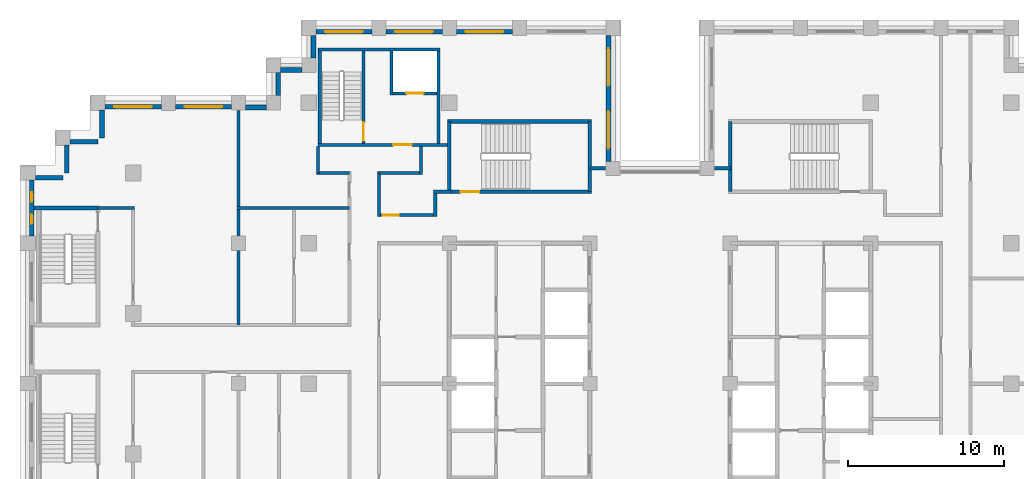
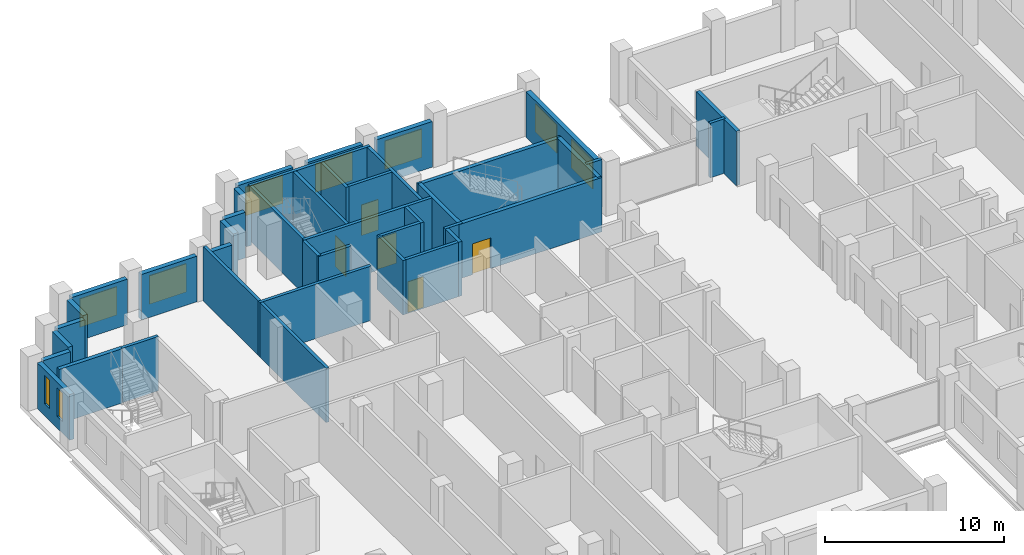
# One storey, part 10 of 15: 41 walls, 9 windows, 5 doors, 14 openings.
"""IFC4 building model written with IfcOpenShell, lengths in metres."""

from ifc_helpers import new_model, si_unit, direction, frame, frame_2d, origin, place, context, subcontext, project, spatial, rectangle, extrude, material, layer, layer_set, type_object, element, fill, save


model = new_model("IFC4")

# Units and contexts
model_context = context("Model", 3, precision=1e-05, world=origin(), true_north=direction((0.0, 1.0)))
body_context = subcontext(model_context, "Body", "Model", "MODEL_VIEW")
ifc_project = project(units=[si_unit("LENGTHUNIT", "METRE"), si_unit("AREAUNIT", "SQUARE_METRE"), si_unit("VOLUMEUNIT", "CUBIC_METRE"), si_unit("PLANEANGLEUNIT", "RADIAN"), si_unit("MASSUNIT", "GRAM", prefix="KILO")], contexts=[model_context])

# Site, building, storey
site_placement = place(None, origin())
site = spatial("IfcSite", under=ifc_project, at=site_placement, CompositionType="ELEMENT")
building_placement = place(site_placement, origin())
building = spatial("IfcBuilding", under=site, at=building_placement, Name="Corbelhall Arena Tower", CompositionType="ELEMENT")
storey_placement = place(building_placement, frame((0.0, 0.0, 196.0)))
storey = spatial("IfcBuildingStorey", under=building, at=storey_placement, Name="L40", CompositionType="ELEMENT", Elevation=196.0)

# Walls
ifc_material_1 = material(Name="Precast concrete C40/50 with granite facing", Category="masonry")
ifc_layer_1 = layer(ifc_material_1, 0.300048828125)
ifc_layer_set_1 = layer_set([ifc_layer_1], Name="EV-IW1 Infill panel 300")
wall_type_1 = type_object("IfcWallType", Name="EV-IW1 Infill panel 300", PredefinedType="SOLIDWALL", material=ifc_layer_set_1)
for number, where, z_axis, x_axis, name in (
    (1, (-35.75, 17.550048828125, 0.0), (0.0, 0.0, 1.0), (0.0, -1.0, 0.0), "Infill panel IW1"),
    (2, (-37.800048828125, 15.5, 0.0), (0.0, 0.0, 1.0), (1.0, 0.0, 0.0), "Infill panel IW1"),
    (3, (-38.0, 15.300048828125, 0.0), (0.0, 0.0, 1.0), (0.0, -1.0, 0.0), "Infill panel IW1"),
):
    element("IfcWall", number, at=place(storey_placement, frame(where, z_axis=z_axis, x_axis=x_axis)), inside=storey, type_object=wall_type_1, Name=name, PredefinedType="SOLIDWALL", context=body_context, shape_type="SweptSolid", body=[
        extrude(rectangle(XDim=1.800048828125, YDim=0.300048828125, at=frame_2d((0.89990234375, 0.0))), origin(), (0.0, 0.0, 1.0), 3.1201171875),
    ])
wall_1_placement = place(storey_placement, frame((-40.0, 13.199951171875, 0.0), z_axis=(0.0, 0.0, 1.0), x_axis=(1.0, 0.0, 0.0)))
element("IfcWall", 4, at=wall_1_placement, inside=storey, type_object=wall_type_1, Name="Infill panel IW1", PredefinedType="SOLIDWALL", context=body_context, shape_type="SweptSolid", body=[
    extrude(rectangle(XDim=1.75, YDim=0.300048828125, at=frame_2d((0.875, 0.0))), origin(), (0.0, 0.0, 1.0), 3.1201171875),
])
wall_2_placement = place(storey_placement, frame((-22.949951171875, 20.10009765625, 0.0), z_axis=(0.0, 0.0, 1.0), x_axis=(-1.0, 0.0, 0.0)))
element("IfcWall", 5, at=wall_2_placement, inside=storey, type_object=wall_type_1, Name="Infill panel IW1", PredefinedType="SOLIDWALL", context=body_context, shape_type="SweptSolid", body=[
    extrude(rectangle(XDim=1.35009765625, YDim=0.300048828125, at=frame_2d((0.675048828125, 0.0))), origin(), (0.0, 0.0, 1.0), 3.1201171875),
])
wall_3_placement = place(storey_placement, frame((-24.449951171875, 19.949951171875, 0.0), z_axis=(0.0, 0.0, 1.0), x_axis=(0.0, -1.0, 0.0)))
element("IfcWall", 6, at=wall_3_placement, inside=storey, type_object=wall_type_1, Name="Infill panel IW1", PredefinedType="SOLIDWALL", context=body_context, shape_type="SweptSolid", body=[
    extrude(rectangle(XDim=1.5, YDim=0.300048828125, at=frame_2d((0.75, 0.0))), origin(), (0.0, 0.0, 1.0), 3.1201171875),
])
wall_4_placement = place(storey_placement, frame((-25.199951171875, 17.699951171875, 0.0), z_axis=(0.0, 0.0, 1.0), x_axis=(-1.0, 0.0, 0.0)))
element("IfcWall", 7, at=wall_4_placement, inside=storey, type_object=wall_type_1, Name="Infill panel IW1", PredefinedType="SOLIDWALL", context=body_context, shape_type="SweptSolid", body=[
    extrude(rectangle(XDim=1.35009765625, YDim=0.300048828125, at=frame_2d((0.675048828125, 0.0))), origin(), (0.0, 0.0, 1.0), 3.1201171875),
])

# Wall, opening, window
wall_5_placement = place(storey_placement, frame((-27.449951171875, 17.75, 0.0), z_axis=(0.0, 0.0, 1.0), x_axis=(-1.0, 0.0, 0.0)))
wall_5 = element("IfcWall", 8, at=wall_5_placement, inside=storey, type_object=wall_type_1, Name="Infill panel IW1", PredefinedType="SOLIDWALL", context=body_context, shape_type="SweptSolid", body=[
    extrude(rectangle(XDim=3.60009765625, YDim=0.300048828125, at=frame_2d((1.800048828125, 0.0))), origin(), (0.0, 0.0, 1.0), 3.1201171875),
])
opening_1_placement = place(wall_5_placement, frame((0.60009765625, 0.0, 0.800048828125)))
opening_1 = element("IfcOpeningElement", 9, at=opening_1_placement, cuts=wall_5, Name="Opening WN1", PredefinedType="OPENING", context=body_context, shape_type="SweptSolid", body=[
    extrude(rectangle(XDim=2.39990234375, YDim=1.949951171875, at=frame_2d((1.199951171875, 0.97509765625))), frame((0.0, 0.14990234375, 0.0), z_axis=(0.0, -1.0, 0.0), x_axis=(1.0, 0.0, 0.0)), (0.0, 0.0, 1.0), 0.300048828125),
])
ifc_material_2 = material(Name="Aluminium black anodised", Category="aluminium")
window_type_1 = type_object("IfcWindowType", Name="EV-WN1 Office window", PartitioningType="SINGLE_PANEL", PredefinedType="WINDOW", material=ifc_material_2)
window_1_placement = place(opening_1_placement, origin())
window_1 = element("IfcWindow", 10, at=window_1_placement, inside=storey, type_object=window_type_1, Name="Window WN1", OverallHeight=1.949951171875, OverallWidth=2.39990234375, PartitioningType="SINGLE_PANEL", PredefinedType="WINDOW", context=body_context, shape_type="SweptSolid", body=[
    extrude(rectangle(XDim=2.39990234375, YDim=1.949951171875, at=frame_2d((1.199951171875, 0.97509765625))), frame((0.0, 0.030029296875, 0.0), z_axis=(0.0, -1.0, 0.0), x_axis=(1.0, 0.0, 0.0)), (0.0, 0.0, 1.0), 0.06005859375),
])
fill(opening_1, window_1)

wall_6_placement = place(storey_placement, frame((-31.949951171875, 17.75, 0.0), z_axis=(0.0, 0.0, 1.0), x_axis=(-1.0, 0.0, 0.0)))
wall_6 = element("IfcWall", 11, at=wall_6_placement, inside=storey, type_object=wall_type_1, Name="Infill panel IW1", PredefinedType="SOLIDWALL", context=body_context, shape_type="SweptSolid", body=[
    extrude(rectangle(XDim=3.60009765625, YDim=0.300048828125, at=frame_2d((1.800048828125, 0.0))), origin(), (0.0, 0.0, 1.0), 3.1201171875),
])
opening_2_placement = place(wall_6_placement, frame((0.60009765625, 0.0, 0.800048828125)))
opening_2 = element("IfcOpeningElement", 12, at=opening_2_placement, cuts=wall_6, Name="Opening WN1", PredefinedType="OPENING", context=body_context, shape_type="SweptSolid", body=[
    extrude(rectangle(XDim=2.39990234375, YDim=1.949951171875, at=frame_2d((1.199951171875, 0.97509765625))), frame((0.0, 0.14990234375, 0.0), z_axis=(0.0, -1.0, 0.0), x_axis=(1.0, 0.0, 0.0)), (0.0, 0.0, 1.0), 0.300048828125),
])
window_2_placement = place(opening_2_placement, origin())
window_2 = element("IfcWindow", 13, at=window_2_placement, inside=storey, type_object=window_type_1, Name="Window WN1", OverallHeight=1.949951171875, OverallWidth=2.39990234375, PartitioningType="SINGLE_PANEL", PredefinedType="WINDOW", context=body_context, shape_type="SweptSolid", body=[
    extrude(rectangle(XDim=2.39990234375, YDim=1.949951171875, at=frame_2d((1.199951171875, 0.97509765625))), frame((0.0, 0.030029296875, 0.0), z_axis=(0.0, -1.0, 0.0), x_axis=(1.0, 0.0, 0.0)), (0.0, 0.0, 1.0), 0.06005859375),
])
fill(opening_2, window_2)

# Wall, openings, windows
wall_7_placement = place(storey_placement, frame((-40.25, 13.050048828125, 0.0), z_axis=(0.0, 0.0, 1.0), x_axis=(0.0, -1.0, 0.0)))
wall_7 = element("IfcWall", 14, at=wall_7_placement, inside=storey, type_object=wall_type_1, Name="Infill panel IW1", PredefinedType="SOLIDWALL", context=body_context, shape_type="SweptSolid", body=[
    extrude(rectangle(XDim=3.60009765625, YDim=0.300048828125, at=frame_2d((1.800048828125, 0.0))), origin(), (0.0, 0.0, 1.0), 3.1201171875),
])
opening_3_placement = place(wall_7_placement, frame((0.78759765625, 0.0, 0.800048828125)))
opening_3 = element("IfcOpeningElement", 15, at=opening_3_placement, cuts=wall_7, Name="Opening WN5", PredefinedType="OPENING", context=body_context, shape_type="SweptSolid", body=[
    extrude(rectangle(XDim=0.60009765625, YDim=1.949951171875, at=frame_2d((0.300048828125, 0.97509765625))), frame((0.0, 0.14990234375, 0.0), z_axis=(0.0, -1.0, 0.0), x_axis=(1.0, 0.0, 0.0)), (0.0, 0.0, 1.0), 0.300048828125),
])
opening_4_placement = place(wall_7_placement, frame((2.21240234375, 0.0, 0.800048828125)))
opening_4 = element("IfcOpeningElement", 16, at=opening_4_placement, cuts=wall_7, Name="Opening WN5", PredefinedType="OPENING", context=body_context, shape_type="SweptSolid", body=[
    extrude(rectangle(XDim=0.60009765625, YDim=1.949951171875, at=frame_2d((0.300048828125, 0.97509765625))), frame((0.0, 0.14990234375, 0.0), z_axis=(0.0, -1.0, 0.0), x_axis=(1.0, 0.0, 0.0)), (0.0, 0.0, 1.0), 0.300048828125),
])
window_type_2 = type_object("IfcWindowType", Name="EV-WN5 Office window 600", PartitioningType="SINGLE_PANEL", PredefinedType="WINDOW", material=ifc_material_2)
window_3_placement = place(opening_3_placement, origin())
window_3 = element("IfcWindow", 17, at=window_3_placement, inside=storey, type_object=window_type_2, Name="Window WN5", OverallHeight=1.949951171875, OverallWidth=0.60009765625, PartitioningType="SINGLE_PANEL", PredefinedType="WINDOW", context=body_context, shape_type="SweptSolid", body=[
    extrude(rectangle(XDim=0.60009765625, YDim=1.949951171875, at=frame_2d((0.300048828125, 0.97509765625))), frame((0.0, 0.030029296875, 0.0), z_axis=(0.0, -1.0, 0.0), x_axis=(1.0, 0.0, 0.0)), (0.0, 0.0, 1.0), 0.06005859375),
])
fill(opening_3, window_3)
window_4_placement = place(opening_4_placement, origin())
window_4 = element("IfcWindow", 18, at=window_4_placement, inside=storey, type_object=window_type_2, Name="Window WN5", OverallHeight=1.949951171875, OverallWidth=0.60009765625, PartitioningType="SINGLE_PANEL", PredefinedType="WINDOW", context=body_context, shape_type="SweptSolid", body=[
    extrude(rectangle(XDim=0.60009765625, YDim=1.949951171875, at=frame_2d((0.300048828125, 0.97509765625))), frame((0.0, 0.030029296875, 0.0), z_axis=(0.0, -1.0, 0.0), x_axis=(1.0, 0.0, 0.0)), (0.0, 0.0, 1.0), 0.06005859375),
])
fill(opening_4, window_4)

wall_8_placement = place(storey_placement, frame((-3.300048828125, 14.25, 0.0), z_axis=(0.0, 0.0, 1.0), x_axis=(0.0, 1.0, 0.0)))
wall_8 = element("IfcWall", 19, at=wall_8_placement, inside=storey, type_object=wall_type_1, Name="Infill panel IW1", PredefinedType="SOLIDWALL", context=body_context, shape_type="SweptSolid", body=[
    extrude(rectangle(XDim=8.050048828125, YDim=0.300048828125, at=frame_2d((4.02490234375, 0.0))), origin(), (0.0, 0.0, 1.0), 3.1201171875),
])
opening_5_placement = place(wall_8_placement, frame((0.8125, 0.0, 0.800048828125)))
opening_5 = element("IfcOpeningElement", 20, at=opening_5_placement, cuts=wall_8, Name="Opening WN1", PredefinedType="OPENING", context=body_context, shape_type="SweptSolid", body=[
    extrude(rectangle(XDim=2.39990234375, YDim=1.949951171875, at=frame_2d((1.199951171875, 0.97509765625))), frame((0.0, 0.14990234375, 0.0), z_axis=(0.0, -1.0, 0.0), x_axis=(1.0, 0.0, 0.0)), (0.0, 0.0, 1.0), 0.300048828125),
])
opening_6_placement = place(wall_8_placement, frame((4.83740234375, 0.0, 0.800048828125)))
opening_6 = element("IfcOpeningElement", 21, at=opening_6_placement, cuts=wall_8, Name="Opening WN1", PredefinedType="OPENING", context=body_context, shape_type="SweptSolid", body=[
    extrude(rectangle(XDim=2.39990234375, YDim=1.949951171875, at=frame_2d((1.199951171875, 0.97509765625))), frame((0.0, 0.14990234375, 0.0), z_axis=(0.0, -1.0, 0.0), x_axis=(1.0, 0.0, 0.0)), (0.0, 0.0, 1.0), 0.300048828125),
])
window_5_placement = place(opening_5_placement, origin())
window_5 = element("IfcWindow", 22, at=window_5_placement, inside=storey, type_object=window_type_1, Name="Window WN1", OverallHeight=1.949951171875, OverallWidth=2.39990234375, PartitioningType="SINGLE_PANEL", PredefinedType="WINDOW", context=body_context, shape_type="SweptSolid", body=[
    extrude(rectangle(XDim=2.39990234375, YDim=1.949951171875, at=frame_2d((1.199951171875, 0.97509765625))), frame((0.0, 0.030029296875, 0.0), z_axis=(0.0, -1.0, 0.0), x_axis=(1.0, 0.0, 0.0)), (0.0, 0.0, 1.0), 0.06005859375),
])
fill(opening_5, window_5)
window_6_placement = place(opening_6_placement, origin())
window_6 = element("IfcWindow", 23, at=window_6_placement, inside=storey, type_object=window_type_1, Name="Window WN1", OverallHeight=1.949951171875, OverallWidth=2.39990234375, PartitioningType="SINGLE_PANEL", PredefinedType="WINDOW", context=body_context, shape_type="SweptSolid", body=[
    extrude(rectangle(XDim=2.39990234375, YDim=1.949951171875, at=frame_2d((1.199951171875, 0.97509765625))), frame((0.0, 0.030029296875, 0.0), z_axis=(0.0, -1.0, 0.0), x_axis=(1.0, 0.0, 0.0)), (0.0, 0.0, 1.0), 0.06005859375),
])
fill(opening_6, window_6)

# Wall, opening, window
wall_9_placement = place(storey_placement, frame((-9.449951171875, 22.550048828125, 0.0), z_axis=(0.0, 0.0, 1.0), x_axis=(-1.0, 0.0, 0.0)))
wall_9 = element("IfcWall", 24, at=wall_9_placement, inside=storey, type_object=wall_type_1, Name="Infill panel IW1", PredefinedType="SOLIDWALL", context=body_context, shape_type="SweptSolid", body=[
    extrude(rectangle(XDim=3.60009765625, YDim=0.300048828125, at=frame_2d((1.800048828125, 0.0))), origin(), (0.0, 0.0, 1.0), 3.1201171875),
])
opening_7_placement = place(wall_9_placement, frame((0.60009765625, 0.0, 0.800048828125)))
opening_7 = element("IfcOpeningElement", 25, at=opening_7_placement, cuts=wall_9, Name="Opening WN1", PredefinedType="OPENING", context=body_context, shape_type="SweptSolid", body=[
    extrude(rectangle(XDim=2.39990234375, YDim=1.949951171875, at=frame_2d((1.199951171875, 0.97509765625))), frame((0.0, 0.14990234375, 0.0), z_axis=(0.0, -1.0, 0.0), x_axis=(1.0, 0.0, 0.0)), (0.0, 0.0, 1.0), 0.300048828125),
])
window_7_placement = place(opening_7_placement, origin())
window_7 = element("IfcWindow", 26, at=window_7_placement, inside=storey, type_object=window_type_1, Name="Window WN1", OverallHeight=1.949951171875, OverallWidth=2.39990234375, PartitioningType="SINGLE_PANEL", PredefinedType="WINDOW", context=body_context, shape_type="SweptSolid", body=[
    extrude(rectangle(XDim=2.39990234375, YDim=1.949951171875, at=frame_2d((1.199951171875, 0.97509765625))), frame((0.0, 0.030029296875, 0.0), z_axis=(0.0, -1.0, 0.0), x_axis=(1.0, 0.0, 0.0)), (0.0, 0.0, 1.0), 0.06005859375),
])
fill(opening_7, window_7)

wall_10_placement = place(storey_placement, frame((-13.949951171875, 22.550048828125, 0.0), z_axis=(0.0, 0.0, 1.0), x_axis=(-1.0, 0.0, 0.0)))
wall_10 = element("IfcWall", 27, at=wall_10_placement, inside=storey, type_object=wall_type_1, Name="Infill panel IW1", PredefinedType="SOLIDWALL", context=body_context, shape_type="SweptSolid", body=[
    extrude(rectangle(XDim=3.60009765625, YDim=0.300048828125, at=frame_2d((1.800048828125, 0.0))), origin(), (0.0, 0.0, 1.0), 3.1201171875),
])
opening_8_placement = place(wall_10_placement, frame((0.60009765625, 0.0, 0.800048828125)))
opening_8 = element("IfcOpeningElement", 28, at=opening_8_placement, cuts=wall_10, Name="Opening WN1", PredefinedType="OPENING", context=body_context, shape_type="SweptSolid", body=[
    extrude(rectangle(XDim=2.39990234375, YDim=1.949951171875, at=frame_2d((1.199951171875, 0.97509765625))), frame((0.0, 0.14990234375, 0.0), z_axis=(0.0, -1.0, 0.0), x_axis=(1.0, 0.0, 0.0)), (0.0, 0.0, 1.0), 0.300048828125),
])
window_8_placement = place(opening_8_placement, origin())
window_8 = element("IfcWindow", 29, at=window_8_placement, inside=storey, type_object=window_type_1, Name="Window WN1", OverallHeight=1.949951171875, OverallWidth=2.39990234375, PartitioningType="SINGLE_PANEL", PredefinedType="WINDOW", context=body_context, shape_type="SweptSolid", body=[
    extrude(rectangle(XDim=2.39990234375, YDim=1.949951171875, at=frame_2d((1.199951171875, 0.97509765625))), frame((0.0, 0.030029296875, 0.0), z_axis=(0.0, -1.0, 0.0), x_axis=(1.0, 0.0, 0.0)), (0.0, 0.0, 1.0), 0.06005859375),
])
fill(opening_8, window_8)

wall_11_placement = place(storey_placement, frame((-18.449951171875, 22.550048828125, 0.0), z_axis=(0.0, 0.0, 1.0), x_axis=(-1.0, 0.0, 0.0)))
wall_11 = element("IfcWall", 30, at=wall_11_placement, inside=storey, type_object=wall_type_1, Name="Infill panel IW1", PredefinedType="SOLIDWALL", context=body_context, shape_type="SweptSolid", body=[
    extrude(rectangle(XDim=3.60009765625, YDim=0.300048828125, at=frame_2d((1.800048828125, 0.0))), origin(), (0.0, 0.0, 1.0), 3.1201171875),
])
opening_9_placement = place(wall_11_placement, frame((0.60009765625, 0.0, 0.800048828125)))
opening_9 = element("IfcOpeningElement", 31, at=opening_9_placement, cuts=wall_11, Name="Opening WN1", PredefinedType="OPENING", context=body_context, shape_type="SweptSolid", body=[
    extrude(rectangle(XDim=2.39990234375, YDim=1.949951171875, at=frame_2d((1.199951171875, 0.97509765625))), frame((0.0, 0.14990234375, 0.0), z_axis=(0.0, -1.0, 0.0), x_axis=(1.0, 0.0, 0.0)), (0.0, 0.0, 1.0), 0.300048828125),
])
window_9_placement = place(opening_9_placement, origin())
window_9 = element("IfcWindow", 32, at=window_9_placement, inside=storey, type_object=window_type_1, Name="Window WN1", OverallHeight=1.949951171875, OverallWidth=2.39990234375, PartitioningType="SINGLE_PANEL", PredefinedType="WINDOW", context=body_context, shape_type="SweptSolid", body=[
    extrude(rectangle(XDim=2.39990234375, YDim=1.949951171875, at=frame_2d((1.199951171875, 0.97509765625))), frame((0.0, 0.030029296875, 0.0), z_axis=(0.0, -1.0, 0.0), x_axis=(1.0, 0.0, 0.0)), (0.0, 0.0, 1.0), 0.06005859375),
])
fill(opening_9, window_9)

# Walls
wall_12_placement = place(storey_placement, frame((-22.199951171875, 22.300048828125, 0.0), z_axis=(0.0, 0.0, 1.0), x_axis=(0.0, -1.0, 0.0)))
element("IfcWall", 33, at=wall_12_placement, inside=storey, type_object=wall_type_1, Name="Infill panel IW1", PredefinedType="SOLIDWALL", context=body_context, shape_type="SweptSolid", body=[
    extrude(rectangle(XDim=1.449951171875, YDim=0.300048828125, at=frame_2d((0.72509765625, 0.0))), origin(), (0.0, 0.0, 1.0), 3.1201171875),
])
ifc_material_3 = material(Name="Gypsum board on steel stud, acoustic", Category="steel")
ifc_layer_2 = layer(ifc_material_3, 0.199951171875)
ifc_layer_set_2 = layer_set([ifc_layer_2], Name="IN-W-DM200")
wall_type_2 = type_object("IfcWallType", Name="IN-W-DM200", PredefinedType="PARTITIONING", material=ifc_layer_set_2)
wall_13_placement = place(storey_placement, frame((-36.0, 11.25, 0.0), z_axis=(0.0, 0.0, 1.0), x_axis=(1.0, 0.0, 0.0)))
element("IfcWall", 34, at=wall_13_placement, inside=storey, type_object=wall_type_2, Name="Partition 001", PredefinedType="PARTITIONING", context=body_context, shape_type="SweptSolid", body=[
    extrude(rectangle(XDim=2.35009765625, YDim=0.199951171875, at=frame_2d((1.175048828125, 0.0))), origin(), (0.0, 0.0, 1.0), 3.719970703125),
])
wall_14_placement = place(storey_placement, frame((-27.10009765625, 11.25, 0.0), z_axis=(0.0, 0.0, 1.0), x_axis=(1.0, 0.0, 0.0)))
element("IfcWall", 35, at=wall_14_placement, inside=storey, type_object=wall_type_2, Name="Partition 008", PredefinedType="PARTITIONING", context=body_context, shape_type="SweptSolid", body=[
    extrude(rectangle(XDim=7.2001953125, YDim=0.199951171875, at=frame_2d((3.60009765625, 0.0))), origin(), (0.0, 0.0, 1.0), 3.719970703125),
])
wall_15_placement = place(storey_placement, frame((-27.0, 3.75, 0.0), z_axis=(0.0, 0.0, 1.0), x_axis=(0.0, 1.0, 0.0)))
element("IfcWall", 36, at=wall_15_placement, inside=storey, type_object=wall_type_2, Name="Partition 010", PredefinedType="PARTITIONING", context=body_context, shape_type="SweptSolid", body=[
    extrude(rectangle(XDim=13.75, YDim=0.199951171875, at=frame_2d((6.875, 0.0))), origin(), (0.0, 0.0, 1.0), 3.719970703125),
])
wall_16_placement = place(storey_placement, frame((-21.89990234375, 13.5, 0.0), z_axis=(0.0, 0.0, 1.0), x_axis=(0.0, 1.0, 0.0)))
element("IfcWall", 37, at=wall_16_placement, inside=storey, type_object=wall_type_2, Name="Partition 014", PredefinedType="PARTITIONING", context=body_context, shape_type="SweptSolid", body=[
    extrude(rectangle(XDim=1.699951171875, YDim=0.199951171875, at=frame_2d((0.85009765625, 0.0))), origin(), (0.0, 0.0, 1.0), 3.719970703125),
])
wall_17_placement = place(storey_placement, frame((-19.89990234375, 13.5, 0.0), z_axis=(0.0, 0.0, 1.0), x_axis=(-1.0, 0.0, 0.0)))
element("IfcWall", 38, at=wall_17_placement, inside=storey, type_object=wall_type_2, Name="Partition 017", PredefinedType="PARTITIONING", context=body_context, shape_type="SweptSolid", body=[
    extrude(rectangle(XDim=2.10009765625, YDim=0.199951171875, at=frame_2d((1.050048828125, 0.0))), origin(), (0.0, 0.0, 1.0), 3.719970703125),
])

# Wall, opening, door
wall_18_placement = place(storey_placement, frame((-18.0, 10.800048828125, 0.0), z_axis=(0.0, 0.0, 1.0), x_axis=(1.0, 0.0, 0.0)))
wall_18 = element("IfcWall", 39, at=wall_18_placement, inside=storey, type_object=wall_type_2, Name="Partition 022", PredefinedType="PARTITIONING", context=body_context, shape_type="SweptSolid", body=[
    extrude(rectangle(XDim=3.60009765625, YDim=0.199951171875, at=frame_2d((1.800048828125, 0.0))), origin(), (0.0, 0.0, 1.0), 3.719970703125),
])
opening_10_placement = place(wall_18_placement, frame((0.25, 0.0, 0.0)))
opening_10 = element("IfcOpeningElement", 40, at=opening_10_placement, cuts=wall_18, Name="Opening 12027", PredefinedType="OPENING", context=body_context, shape_type="SweptSolid", body=[
    extrude(rectangle(XDim=1.0, YDim=2.10009765625, at=frame_2d((0.5, 1.050048828125))), frame((0.0, 0.10009765625, 0.0), z_axis=(0.0, -1.0, 0.0), x_axis=(1.0, 0.0, 0.0)), (0.0, 0.0, 1.0), 0.199951171875),
])
ifc_material_4 = material(Name="Steel door set", Category="steel")
door_type_1 = type_object("IfcDoorType", Name="IN-D-SW100", OperationType="NOTDEFINED", PredefinedType="DOOR", material=ifc_material_4)
door_1_placement = place(opening_10_placement, origin())
door_1 = element("IfcDoor", 41, at=door_1_placement, inside=storey, type_object=door_type_1, Name="Door 027", OperationType="SINGLE_SWING_RIGHT", OverallHeight=2.10009765625, OverallWidth=1.0, PredefinedType="DOOR", context=body_context, shape_type="SweptSolid", body=[
    extrude(rectangle(XDim=1.0, YDim=2.10009765625, at=frame_2d((0.5, 1.050048828125))), frame((0.0, 0.02490234375, 0.0), z_axis=(0.0, -1.0, 0.0), x_axis=(1.0, 0.0, 0.0)), (0.0, 0.0, 1.0), 0.050048828125),
])
fill(opening_10, door_1)

# Walls
wall_19_placement = place(storey_placement, frame((-18.0, 13.60009765625, 0.0), z_axis=(0.0, 0.0, 1.0), x_axis=(0.0, -1.0, 0.0)))
element("IfcWall", 42, at=wall_19_placement, inside=storey, type_object=wall_type_2, Name="Partition 023", PredefinedType="PARTITIONING", context=body_context, shape_type="SweptSolid", body=[
    extrude(rectangle(XDim=2.900146484375, YDim=0.199951171875, at=frame_2d((1.4501953125, 0.0))), origin(), (0.0, 0.0, 1.0), 3.719970703125),
])
wall_20_placement = place(storey_placement, frame((-15.300048828125, 13.5, 0.0), z_axis=(0.0, 0.0, 1.0), x_axis=(-1.0, 0.0, 0.0)))
element("IfcWall", 43, at=wall_20_placement, inside=storey, type_object=wall_type_2, Name="Partition 024", PredefinedType="PARTITIONING", context=body_context, shape_type="SweptSolid", body=[
    extrude(rectangle(XDim=2.699951171875, YDim=0.199951171875, at=frame_2d((1.35009765625, 0.0))), origin(), (0.0, 0.0, 1.0), 3.719970703125),
])
wall_21_placement = place(storey_placement, frame((-15.300048828125, 15.199951171875, 0.0), z_axis=(0.0, 0.0, 1.0), x_axis=(0.0, -1.0, 0.0)))
element("IfcWall", 44, at=wall_21_placement, inside=storey, type_object=wall_type_2, Name="Partition 025", PredefinedType="PARTITIONING", context=body_context, shape_type="SweptSolid", body=[
    extrude(rectangle(XDim=1.800048828125, YDim=0.199951171875, at=frame_2d((0.89990234375, 0.0))), origin(), (0.0, 0.0, 1.0), 3.719970703125),
])
wall_22_placement = place(storey_placement, frame((-14.5, 12.300048828125, 0.0), z_axis=(0.0, 0.0, 1.0), x_axis=(1.0, 0.0, 0.0)))
element("IfcWall", 45, at=wall_22_placement, inside=storey, type_object=wall_type_2, Name="Partition 026", PredefinedType="PARTITIONING", context=body_context, shape_type="SweptSolid", body=[
    extrude(rectangle(XDim=1.125, YDim=0.199951171875, at=frame_2d((0.5625, 0.0))), origin(), (0.0, 0.0, 1.0), 3.719970703125),
])
wall_23_placement = place(storey_placement, frame((-14.39990234375, 10.699951171875, 0.0), z_axis=(0.0, 0.0, 1.0), x_axis=(0.0, 1.0, 0.0)))
element("IfcWall", 46, at=wall_23_placement, inside=storey, type_object=wall_type_2, Name="Partition 030", PredefinedType="PARTITIONING", context=body_context, shape_type="SweptSolid", body=[
    extrude(rectangle(XDim=1.60009765625, YDim=0.199951171875, at=frame_2d((0.800048828125, 0.0))), origin(), (0.0, 0.0, 1.0), 3.719970703125),
])
for number, where, z_axis, x_axis, name in (
    (47, (-4.5, 13.800048828125, 0.0), (0.0, 0.0, 1.0), (1.0, 0.0, 0.0), "Partition 032"),
    (48, (3.5, 13.800048828125, 0.0), (0.0, 0.0, 1.0), (1.0, 0.0, 0.0), "Partition 034"),
):
    element("IfcWall", number, at=place(storey_placement, frame(where, z_axis=z_axis, x_axis=x_axis)), inside=storey, type_object=wall_type_2, Name=name, PredefinedType="PARTITIONING", context=body_context, shape_type="SweptSolid", body=[
        extrude(rectangle(XDim=1.0, YDim=0.199951171875, at=frame_2d((0.5, 0.0))), origin(), (0.0, 0.0, 1.0), 3.719970703125),
    ])

# Wall, opening, door
ifc_material_5 = material(Name="Concrete C40/50", Category="concrete")
ifc_layer_3 = layer(ifc_material_5, 0.199951171875)
ifc_layer_set_3 = layer_set([ifc_layer_3], Name="IN-W-EAR200")
wall_type_3 = type_object("IfcWallType", Name="IN-W-EAR200", PredefinedType="SOLIDWALL", material=ifc_layer_set_3)
wall_24_placement = place(storey_placement, frame((-21.89990234375, 15.300048828125, 0.0), z_axis=(0.0, 0.0, 1.0), x_axis=(1.0, 0.0, 0.0)))
wall_24 = element("IfcWall", 49, at=wall_24_placement, inside=storey, type_object=wall_type_3, Name="Fire service turret wall south", PredefinedType="SOLIDWALL", context=body_context, shape_type="SweptSolid", body=[
    extrude(rectangle(XDim=8.27490234375, YDim=0.199951171875, at=frame_2d((4.137451171875, 0.0))), origin(), (0.0, 0.0, 1.0), 3.719970703125),
])
opening_11_placement = place(wall_24_placement, frame((4.800048828125, 0.0, 0.0)))
opening_11 = element("IfcOpeningElement", 50, at=opening_11_placement, cuts=wall_24, Name="Opening E122", PredefinedType="OPENING", context=body_context, shape_type="SweptSolid", body=[
    extrude(rectangle(XDim=1.199951171875, YDim=2.10009765625, at=frame_2d((0.60009765625, 1.050048828125))), frame((0.0, 0.10009765625, 0.0), z_axis=(0.0, -1.0, 0.0), x_axis=(1.0, 0.0, 0.0)), (0.0, 0.0, 1.0), 0.199951171875),
])
door_type_2 = type_object("IfcDoorType", Name="IN-D-ST120", OperationType="NOTDEFINED", PredefinedType="DOOR", material=ifc_material_4)
door_2_placement = place(opening_11_placement, origin())
door_2 = element("IfcDoor", 51, at=door_2_placement, inside=storey, type_object=door_type_2, Name="Door from fire service lift lobby to circulation", OperationType="SINGLE_SWING_RIGHT", OverallHeight=2.10009765625, OverallWidth=1.199951171875, PredefinedType="DOOR", context=body_context, shape_type="SweptSolid", body=[
    extrude(rectangle(XDim=1.199951171875, YDim=2.10009765625, at=frame_2d((0.60009765625, 1.050048828125))), frame((0.0, 0.02490234375, 0.0), z_axis=(0.0, -1.0, 0.0), x_axis=(1.0, 0.0, 0.0)), (0.0, 0.0, 1.0), 0.050048828125),
])
fill(opening_11, door_2)

# Walls
wall_25_placement = place(storey_placement, frame((-21.89990234375, 21.39990234375, 0.0), z_axis=(0.0, 0.0, 1.0), x_axis=(1.0, 0.0, 0.0)))
element("IfcWall", 52, at=wall_25_placement, inside=storey, type_object=wall_type_3, Name="Fire service turret wall north", PredefinedType="SOLIDWALL", context=body_context, shape_type="SweptSolid", body=[
    extrude(rectangle(XDim=7.7998046875, YDim=0.199951171875, at=frame_2d((3.89990234375, 0.0))), origin(), (0.0, 0.0, 1.0), 3.719970703125),
])
for number, where, z_axis, x_axis, name in (
    (53, (-21.800048828125, 15.39990234375, 0.0), (0.0, 0.0, 1.0), (0.0, 1.0, 0.0), "Fire service turret wall west"),
    (54, (-14.199951171875, 15.39990234375, 0.0), (0.0, 0.0, 1.0), (0.0, 1.0, 0.0), "Fire service turret wall east"),
):
    element("IfcWall", number, at=place(storey_placement, frame(where, z_axis=z_axis, x_axis=x_axis)), inside=storey, type_object=wall_type_3, Name=name, PredefinedType="SOLIDWALL", context=body_context, shape_type="SweptSolid", body=[
        extrude(rectangle(XDim=5.900146484375, YDim=0.199951171875, at=frame_2d((2.9501953125, 0.0))), origin(), (0.0, 0.0, 1.0), 3.719970703125),
    ])

# Wall, opening, door
wall_26_placement = place(storey_placement, frame((-18.989990234375, 15.39990234375, 0.0), z_axis=(0.0, 0.0, 1.0), x_axis=(0.0, 1.0, 0.0)))
wall_26 = element("IfcWall", 55, at=wall_26_placement, inside=storey, type_object=wall_type_3, Name="Fire service turret wall stair", PredefinedType="SOLIDWALL", context=body_context, shape_type="SweptSolid", body=[
    extrude(rectangle(XDim=5.900146484375, YDim=0.199951171875, at=frame_2d((2.9501953125, 0.0))), origin(), (0.0, 0.0, 1.0), 3.719970703125),
])
opening_12_placement = place(wall_26_placement, frame((0.14990234375, 0.0, 0.0)))
opening_12 = element("IfcOpeningElement", 56, at=opening_12_placement, cuts=wall_26, Name="Opening E121", PredefinedType="OPENING", context=body_context, shape_type="SweptSolid", body=[
    extrude(rectangle(XDim=1.199951171875, YDim=2.10009765625, at=frame_2d((0.60009765625, 1.050048828125))), frame((0.0, 0.10009765625, 0.0), z_axis=(0.0, -1.0, 0.0), x_axis=(1.0, 0.0, 0.0)), (0.0, 0.0, 1.0), 0.199951171875),
])
door_3_placement = place(opening_12_placement, origin())
door_3 = element("IfcDoor", 57, at=door_3_placement, inside=storey, type_object=door_type_2, Name="Stair door to fire service lobby", OperationType="SINGLE_SWING_LEFT", OverallHeight=2.10009765625, OverallWidth=1.199951171875, PredefinedType="DOOR", context=body_context, shape_type="SweptSolid", body=[
    extrude(rectangle(XDim=1.199951171875, YDim=2.10009765625, at=frame_2d((0.60009765625, 1.050048828125))), frame((0.0, 0.02490234375, 0.0), z_axis=(0.0, -1.0, 0.0), x_axis=(1.0, 0.0, 0.0)), (0.0, 0.0, 1.0), 0.050048828125),
])
fill(opening_12, door_3)

# Wall
wall_27_placement = place(storey_placement, frame((-17.199951171875, 18.5, 0.0), z_axis=(0.0, 0.0, 1.0), x_axis=(0.0, 1.0, 0.0)))
element("IfcWall", 58, at=wall_27_placement, inside=storey, type_object=wall_type_3, Name="Fire service turret wall hoistway west", PredefinedType="SOLIDWALL", context=body_context, shape_type="SweptSolid", body=[
    extrude(rectangle(XDim=2.800048828125, YDim=0.199951171875, at=frame_2d((1.39990234375, 0.0))), origin(), (0.0, 0.0, 1.0), 3.719970703125),
])

# Wall, opening, door
wall_28_placement = place(storey_placement, frame((-17.10009765625, 18.60009765625, 0.0), z_axis=(0.0, 0.0, 1.0), x_axis=(1.0, 0.0, 0.0)))
wall_28 = element("IfcWall", 59, at=wall_28_placement, inside=storey, type_object=wall_type_3, Name="Fire service turret wall hoistway south", PredefinedType="SOLIDWALL", context=body_context, shape_type="SweptSolid", body=[
    extrude(rectangle(XDim=2.800048828125, YDim=0.199951171875, at=frame_2d((1.39990234375, 0.0))), origin(), (0.0, 0.0, 1.0), 3.719970703125),
])
opening_13_placement = place(wall_28_placement, frame((0.85009765625, 0.0, 0.0)))
opening_13 = element("IfcOpeningElement", 60, at=opening_13_placement, cuts=wall_28, Name="Opening LD", PredefinedType="OPENING", context=body_context, shape_type="SweptSolid", body=[
    extrude(rectangle(XDim=1.10009765625, YDim=2.10009765625, at=frame_2d((0.550048828125, 1.050048828125))), frame((0.0, 0.10009765625, 0.0), z_axis=(0.0, -1.0, 0.0), x_axis=(1.0, 0.0, 0.0)), (0.0, 0.0, 1.0), 0.199951171875),
])
door_type_3 = type_object("IfcDoorType", Name="IN-D-LD110", OperationType="NOTDEFINED", PredefinedType="DOOR", material=ifc_material_4)
door_4_placement = place(opening_13_placement, origin())
door_4 = element("IfcDoor", 61, at=door_4_placement, inside=storey, type_object=door_type_3, Name="Landing door FS1", OperationType="SLIDING_TO_LEFT", OverallHeight=2.10009765625, OverallWidth=1.10009765625, PredefinedType="DOOR", context=body_context, shape_type="SweptSolid", body=[
    extrude(rectangle(XDim=1.10009765625, YDim=2.10009765625, at=frame_2d((0.550048828125, 1.050048828125))), frame((0.0, 0.02490234375, 0.0), z_axis=(0.0, -1.0, 0.0), x_axis=(1.0, 0.0, 0.0)), (0.0, 0.0, 1.0), 0.050048828125),
])
fill(opening_13, door_4)

# Wall
ifc_layer_4 = layer(ifc_material_5, 0.25)
ifc_layer_set_4 = layer_set([ifc_layer_4], Name="IN-W-ST250")
wall_type_4 = type_object("IfcWallType", Name="IN-W-ST250", PredefinedType="SOLIDWALL", material=ifc_layer_set_4)
wall_29_placement = place(storey_placement, frame((-40.10009765625, 11.25, 0.0), z_axis=(0.0, 0.0, 1.0), x_axis=(1.0, 0.0, 0.0)))
element("IfcWall", 62, at=wall_29_placement, inside=storey, type_object=wall_type_4, Name="Shaft wall 097", PredefinedType="SOLIDWALL", context=body_context, shape_type="SweptSolid", body=[
    extrude(rectangle(XDim=4.10009765625, YDim=0.25, at=frame_2d((2.050048828125, 0.0))), origin(), (0.0, 0.0, 1.0), 3.719970703125),
])

# Wall, opening, door
wall_30_placement = place(storey_placement, frame((-13.625, 12.300048828125, 0.0), z_axis=(0.0, 0.0, 1.0), x_axis=(1.0, 0.0, 0.0)))
wall_30 = element("IfcWall", 63, at=wall_30_placement, inside=storey, type_object=wall_type_4, Name="Shaft wall 102", PredefinedType="SOLIDWALL", context=body_context, shape_type="SweptSolid", body=[
    extrude(rectangle(XDim=9.25, YDim=0.25, at=frame_2d((4.625, 0.0))), origin(), (0.0, 0.0, 1.0), 3.719970703125),
])
opening_14_placement = place(wall_30_placement, frame((0.85009765625, 0.0, 0.0)))
opening_14 = element("IfcOpeningElement", 64, at=opening_14_placement, cuts=wall_30, Name="Opening 12017", PredefinedType="OPENING", context=body_context, shape_type="SweptSolid", body=[
    extrude(rectangle(XDim=1.199951171875, YDim=2.10009765625, at=frame_2d((0.60009765625, 1.050048828125))), frame((0.0, 0.125, 0.0), z_axis=(0.0, -1.0, 0.0), x_axis=(1.0, 0.0, 0.0)), (0.0, 0.0, 1.0), 0.25),
])
door_5_placement = place(opening_14_placement, origin())
door_5 = element("IfcDoor", 65, at=door_5_placement, inside=storey, type_object=door_type_2, Name="Door 017", OperationType="SINGLE_SWING_RIGHT", OverallHeight=2.10009765625, OverallWidth=1.199951171875, PredefinedType="DOOR", context=body_context, shape_type="SweptSolid", body=[
    extrude(rectangle(XDim=1.199951171875, YDim=2.10009765625, at=frame_2d((0.60009765625, 1.050048828125))), frame((0.0, 0.02490234375, 0.0), z_axis=(0.0, -1.0, 0.0), x_axis=(1.0, 0.0, 0.0)), (0.0, 0.0, 1.0), 0.050048828125),
])
fill(opening_14, door_5)

# Walls
wall_31_placement = place(storey_placement, frame((-13.625, 16.800048828125, 0.0), z_axis=(0.0, 0.0, 1.0), x_axis=(1.0, 0.0, 0.0)))
element("IfcWall", 66, at=wall_31_placement, inside=storey, type_object=wall_type_4, Name="Shaft wall 103", PredefinedType="SOLIDWALL", context=body_context, shape_type="SweptSolid", body=[
    extrude(rectangle(XDim=9.25, YDim=0.25, at=frame_2d((4.625, 0.0))), origin(), (0.0, 0.0, 1.0), 3.719970703125),
])
for number, where, z_axis, x_axis, name in (
    (67, (-13.5, 12.300048828125, 0.0), (0.0, 0.0, 1.0), (0.0, 1.0, 0.0), "Shaft wall 105"),
    (68, (-4.5, 16.800048828125, 0.0), (0.0, 0.0, 1.0), (0.0, -1.0, 0.0), "Shaft wall 108"),
    (69, (4.5, 12.300048828125, 0.0), (0.0, 0.0, 1.0), (0.0, 1.0, 0.0), "Shaft wall 113"),
):
    element("IfcWall", number, at=place(storey_placement, frame(where, z_axis=z_axis, x_axis=x_axis)), inside=storey, type_object=wall_type_4, Name=name, PredefinedType="SOLIDWALL", context=body_context, shape_type="SweptSolid", body=[
        extrude(rectangle(XDim=4.5, YDim=0.25, at=frame_2d((2.25, 0.0))), origin(), (0.0, 0.0, 1.0), 3.719970703125),
    ])

save(model, "model.ifc")
